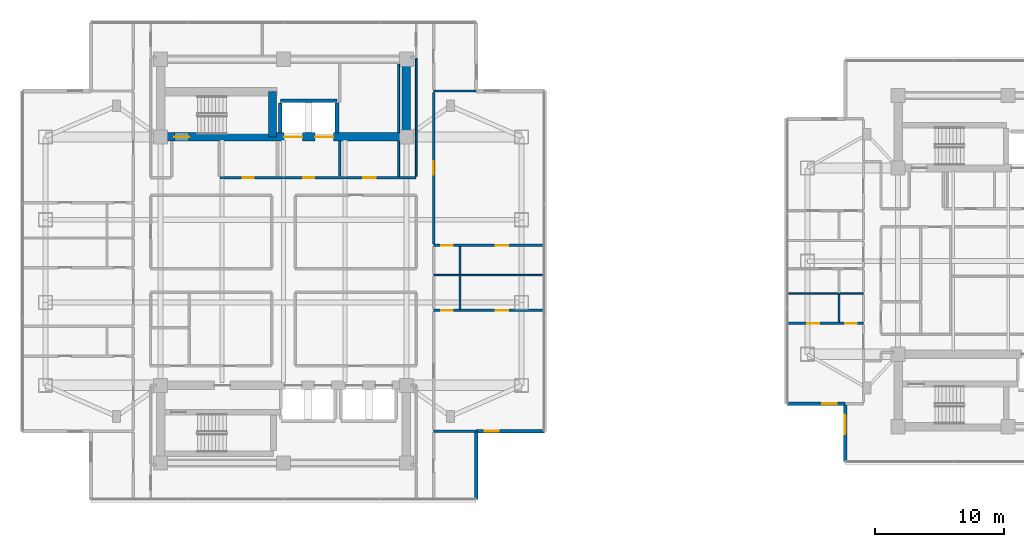
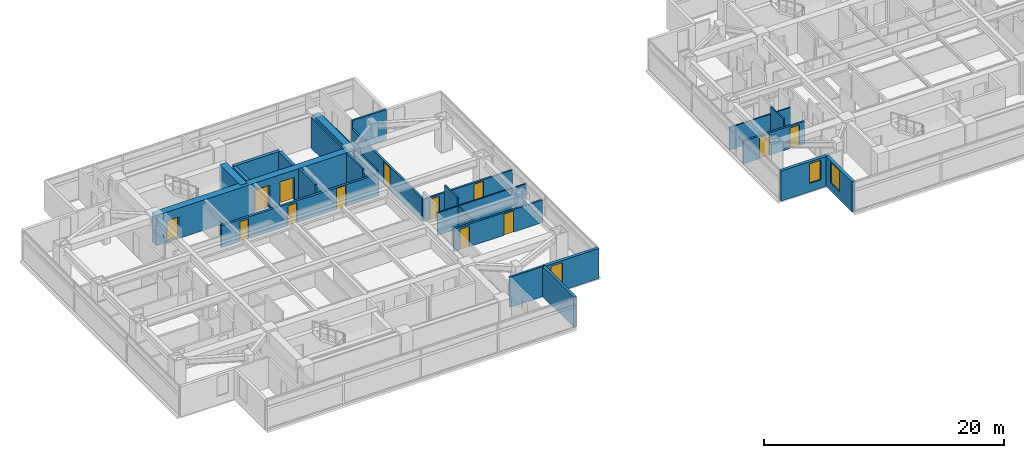
# One storey, part 16 of 26: 26 walls, 13 doors, 3 windows, 16 openings.
"""IFC4 building model written with IfcOpenShell, lengths in metres."""

from ifc_helpers import new_model, si_unit, direction, frame, frame_2d, origin, place, context, subcontext, project, spatial, rectangle, extrude, material, layer, layer_set, type_object, element, fill, save


model = new_model("IFC4")

# Units and contexts
model_context = context("Model", 3, precision=1e-05, world=origin(), true_north=direction((0.0, 1.0)))
body_context = subcontext(model_context, "Body", "Model", "MODEL_VIEW")
ifc_project = project(units=[si_unit("LENGTHUNIT", "METRE"), si_unit("AREAUNIT", "SQUARE_METRE"), si_unit("VOLUMEUNIT", "CUBIC_METRE"), si_unit("PLANEANGLEUNIT", "RADIAN"), si_unit("MASSUNIT", "GRAM", prefix="KILO")], contexts=[model_context])

# Site, building, storey
site_placement = place(None, origin())
site = spatial("IfcSite", under=ifc_project, at=site_placement, CompositionType="ELEMENT")
building_placement = place(site_placement, origin())
building = spatial("IfcBuilding", under=site, at=building_placement, Name="Mirazonda Arch Towers", CompositionType="ELEMENT")
storey_placement = place(building_placement, frame((0.0, 0.0, 121.39990234375)))
storey = spatial("IfcBuildingStorey", under=building, at=storey_placement, Name="L34", CompositionType="ELEMENT", Elevation=121.39990234375)

# Wall
ifc_material_1 = material(Name="Concrete C60/75", Category="concrete")
ifc_layer_1 = layer(ifc_material_1, 0.64990234375, Name="WALL-CORE-650")
ifc_layer_set_1 = layer_set([ifc_layer_1], Name="Concrete C60/75")
wall_type_1 = type_object("IfcWallType", Name="WALL-CORE-650", PredefinedType="SHEAR", material=ifc_layer_set_1)
wall_1_placement = place(storey_placement, frame((30.0, 37.60009765625, 0.0), z_axis=(0.0, 0.0, 1.0), x_axis=(0.0, 1.0, 0.0)))
element("IfcWall", 1, at=wall_1_placement, inside=storey, type_object=wall_type_1, Name="L34 T1N-E Core Shear Wall", PredefinedType="SHEAR", context=body_context, shape_type="SweptSolid", body=[
    extrude(rectangle(XDim=6.0, YDim=0.64990234375, at=frame_2d((3.0, 0.0))), origin(), (0.0, 0.0, 1.0), 3.080078125),
])

# Wall, openings, doors
wall_2_placement = place(storey_placement, frame((11.0, 37.60009765625, 0.0), z_axis=(0.0, 0.0, 1.0), x_axis=(1.0, 0.0, 0.0)))
wall_2 = element("IfcWall", 2, at=wall_2_placement, inside=storey, type_object=wall_type_1, Name="L34 T1N-S Core Shear Wall", PredefinedType="SHEAR", context=body_context, shape_type="SweptSolid", body=[
    extrude(rectangle(XDim=19.0, YDim=0.64990234375, at=frame_2d((9.5, 0.0))), origin(), (0.0, 0.0, 1.0), 3.080078125),
])
opening_1_placement = place(wall_2_placement, frame((1.06005859375, 0.0, 0.0)))
opening_1 = element("IfcOpeningElement", 3, at=opening_1_placement, cuts=wall_2, Name="Opening DR-135", PredefinedType="OPENING", context=body_context, shape_type="SweptSolid", body=[
    extrude(rectangle(XDim=1.14990234375, YDim=2.199951171875, at=frame_2d((0.574951171875, 1.10009765625))), frame((0.0, 0.3349609375, 0.0), z_axis=(0.0, -1.0, 0.0), x_axis=(1.0, 0.0, 0.0)), (0.0, 0.0, 1.0), 0.669921875),
])
opening_2_placement = place(wall_2_placement, frame((9.550048828125, 0.0, 0.0)))
opening_2 = element("IfcOpeningElement", 4, at=opening_2_placement, cuts=wall_2, Name="Opening LD-112", PredefinedType="OPENING", context=body_context, shape_type="SweptSolid", body=[
    extrude(rectangle(XDim=1.39990234375, YDim=2.35009765625, at=frame_2d((0.699951171875, 1.175048828125))), frame((0.0, 0.3349609375, 0.0), z_axis=(0.0, -1.0, 0.0), x_axis=(1.0, 0.0, 0.0)), (0.0, 0.0, 1.0), 0.669921875),
])
opening_3_placement = place(wall_2_placement, frame((11.949951171875, 0.0, 0.0)))
opening_3 = element("IfcOpeningElement", 5, at=opening_3_placement, cuts=wall_2, Name="Opening LD-112", PredefinedType="OPENING", context=body_context, shape_type="SweptSolid", body=[
    extrude(rectangle(XDim=1.39990234375, YDim=2.35009765625, at=frame_2d((0.699951171875, 1.175048828125))), frame((0.0, 0.3349609375, 0.0), z_axis=(0.0, -1.0, 0.0), x_axis=(1.0, 0.0, 0.0)), (0.0, 0.0, 1.0), 0.669921875),
])
ifc_material_2 = material(Name="Architectural Brushed Steel S355", Category="steel")
door_type_1 = type_object("IfcDoorType", Name="DOOR-LIFT-FFL-1400", OperationType="NOTDEFINED", PredefinedType="DOOR", material=ifc_material_2)
door_1_placement = place(opening_2_placement, origin())
door_1 = element("IfcDoor", 6, at=door_1_placement, inside=storey, type_object=door_type_1, Name="L34 Lift Landing Sliding Door FFL-T1", OperationType="DOUBLE_DOOR_SLIDING", OverallHeight=2.35009765625, OverallWidth=1.39990234375, PredefinedType="DOOR", context=body_context, shape_type="SweptSolid", body=[
    extrude(rectangle(XDim=1.39990234375, YDim=2.35009765625, at=frame_2d((0.699951171875, 1.175048828125))), frame((0.0, 0.02490234375, 0.0), z_axis=(0.0, -1.0, 0.0), x_axis=(1.0, 0.0, 0.0)), (0.0, 0.0, 1.0), 0.050048828125),
])
fill(opening_2, door_1)
door_2_placement = place(opening_3_placement, origin())
door_2 = element("IfcDoor", 7, at=door_2_placement, inside=storey, type_object=door_type_1, Name="L34 Lift Landing Sliding Door SVL-T1", OperationType="DOUBLE_DOOR_SLIDING", OverallHeight=2.35009765625, OverallWidth=1.39990234375, PredefinedType="DOOR", context=body_context, shape_type="SweptSolid", body=[
    extrude(rectangle(XDim=1.39990234375, YDim=2.35009765625, at=frame_2d((0.699951171875, 1.175048828125))), frame((0.0, 0.02490234375, 0.0), z_axis=(0.0, -1.0, 0.0), x_axis=(1.0, 0.0, 0.0)), (0.0, 0.0, 1.0), 0.050048828125),
])
fill(opening_3, door_2)
door_type_2 = type_object("IfcDoorType", Name="DOOR-STAIR-FD90-1150", OperationType="NOTDEFINED", PredefinedType="DOOR", material=ifc_material_2)
door_3_placement = place(opening_1_placement, origin())
door_3 = element("IfcDoor", 8, at=door_3_placement, inside=storey, type_object=door_type_2, Name="L34 Protected Exit Stair North Door", OperationType="SINGLE_SWING_RIGHT", OverallHeight=2.199951171875, OverallWidth=1.14990234375, PredefinedType="DOOR", context=body_context, shape_type="SweptSolid", body=[
    extrude(rectangle(XDim=1.14990234375, YDim=2.199951171875, at=frame_2d((0.574951171875, 1.10009765625))), frame((0.0, 0.02490234375, 0.0), z_axis=(0.0, -1.0, 0.0), x_axis=(1.0, 0.0, 0.0)), (0.0, 0.0, 1.0), 0.050048828125),
])
fill(opening_1, door_3)

# Wall
wall_3_placement = place(storey_placement, frame((19.64990234375, 37.60009765625, 0.0), z_axis=(0.0, 0.0, 1.0), x_axis=(0.0, 1.0, 0.0)))
element("IfcWall", 9, at=wall_3_placement, inside=storey, type_object=wall_type_1, Name="L34 T1N-STE Core Shear Wall", PredefinedType="SHEAR", context=body_context, shape_type="SweptSolid", body=[
    extrude(rectangle(XDim=3.492919921875, YDim=0.64990234375, at=frame_2d((1.74658203125, 0.0))), origin(), (0.0, 0.0, 1.0), 3.080078125),
])

# Wall, opening, window
ifc_material_3 = material(Name="Precast Concrete C40/50", Category="concrete")
ifc_layer_2 = layer(ifc_material_3, 0.280029296875, Name="WALL-EXT-WALL-280")
ifc_layer_set_2 = layer_set([ifc_layer_2], Name="Precast Concrete C40/50")
wall_type_2 = type_object("IfcWallType", Name="WALL-EXT-WALL-280", PredefinedType="SOLIDWALL", material=ifc_layer_set_2)
wall_4_placement = place(storey_placement, frame((35.389892578125, 14.85205078125, 0.0), z_axis=(0.0, 0.0, 1.0), x_axis=(1.0, 0.0, 0.0)))
wall_4 = element("IfcWall", 10, at=wall_4_placement, inside=storey, type_object=wall_type_2, Name="L34 T1 Corner Notch Return Wall WL-L34-T1-CSE1", PredefinedType="SOLIDWALL", context=body_context, shape_type="SweptSolid", body=[
    extrude(rectangle(XDim=5.27001953125, YDim=0.280029296875, at=frame_2d((2.635009765625, 0.0))), origin(), (0.0, 0.0, 1.0), 3.06005859375),
])
opening_4_placement = place(wall_4_placement, frame((0.64990234375, 0.0, 0.85009765625)))
opening_4 = element("IfcOpeningElement", 11, at=opening_4_placement, cuts=wall_4, Name="Opening WN-108", PredefinedType="OPENING", context=body_context, shape_type="SweptSolid", body=[
    extrude(rectangle(XDim=1.10009765625, YDim=2.0, at=frame_2d((0.550048828125, 1.0))), frame((0.0, 0.14990234375, 0.0), z_axis=(0.0, -1.0, 0.0), x_axis=(1.0, 0.0, 0.0)), (0.0, 0.0, 1.0), 0.300048828125),
])
ifc_material_4 = material(Name="Insulated Low-E Solar Glass", Category="glass")
window_type_1 = type_object("IfcWindowType", Name="WIN-NOTCH-1100x2000", PartitioningType="SINGLE_PANEL", PredefinedType="WINDOW", material=ifc_material_4)
window_1_placement = place(opening_4_placement, origin())
window_1 = element("IfcWindow", 12, at=window_1_placement, inside=storey, type_object=window_type_1, Name="L34 Punched Facade Window WN-L34-T1-CSE1", OverallHeight=2.0, OverallWidth=1.10009765625, PartitioningType="SINGLE_PANEL", PredefinedType="WINDOW", context=body_context, shape_type="SweptSolid", body=[
    extrude(rectangle(XDim=1.10009765625, YDim=2.0, at=frame_2d((0.550048828125, 1.0))), frame((0.0, 0.030029296875, 0.0), z_axis=(0.0, -1.0, 0.0), x_axis=(1.0, 0.0, 0.0)), (0.0, 0.0, 1.0), 0.06005859375),
])
fill(opening_4, window_1)

# Wall
wall_5_placement = place(storey_placement, frame((35.389892578125, 9.58203125, 0.0), z_axis=(0.0, 0.0, 1.0), x_axis=(0.0, 1.0, 0.0)))
element("IfcWall", 13, at=wall_5_placement, inside=storey, type_object=wall_type_2, Name="L34 T1 Corner Notch Return Wall WL-L34-T1-CSE2", PredefinedType="SOLIDWALL", context=body_context, shape_type="SweptSolid", body=[
    extrude(rectangle(XDim=5.27001953125, YDim=0.280029296875, at=frame_2d((2.635009765625, 0.0))), origin(), (0.0, 0.0, 1.0), 3.06005859375),
])

# Wall, opening, window
wall_6_placement = place(storey_placement, frame((63.903564453125, 16.984130859375, 0.0), z_axis=(0.0, 0.0, 1.0), x_axis=(0.0, -1.0, 0.0)))
wall_6 = element("IfcWall", 14, at=wall_6_placement, inside=storey, type_object=wall_type_2, Name="L34 T2 Notched SW Corner Wall WL-L34-T2-CSW", PredefinedType="SOLIDWALL", context=body_context, shape_type="SweptSolid", body=[
    extrude(rectangle(XDim=4.486328125, YDim=0.280029296875, at=frame_2d((2.2431640625, 0.0))), origin(), (0.0, 0.0, 1.0), 3.06005859375),
])
opening_5_placement = place(wall_6_placement, frame((0.85009765625, 0.0, 0.81005859375)))
opening_5 = element("IfcOpeningElement", 15, at=opening_5_placement, cuts=wall_6, Name="Opening WN-120", PredefinedType="OPENING", context=body_context, shape_type="SweptSolid", body=[
    extrude(rectangle(XDim=1.5, YDim=2.10009765625, at=frame_2d((0.75, 1.050048828125))), frame((0.0, 0.14990234375, 0.0), z_axis=(0.0, -1.0, 0.0), x_axis=(1.0, 0.0, 0.0)), (0.0, 0.0, 1.0), 0.300048828125),
])
window_type_2 = type_object("IfcWindowType", Name="WIN-HTL-1500x2100", PartitioningType="SINGLE_PANEL", PredefinedType="WINDOW", material=ifc_material_4)
window_2_placement = place(opening_5_placement, origin())
window_2 = element("IfcWindow", 16, at=window_2_placement, inside=storey, type_object=window_type_2, Name="L34 Punched Facade Window WN-L34-T2-CSW", OverallHeight=2.10009765625, OverallWidth=1.5, PartitioningType="SINGLE_PANEL", PredefinedType="WINDOW", context=body_context, shape_type="SweptSolid", body=[
    extrude(rectangle(XDim=1.5, YDim=2.10009765625, at=frame_2d((0.75, 1.050048828125))), frame((0.0, 0.030029296875, 0.0), z_axis=(0.0, -1.0, 0.0), x_axis=(1.0, 0.0, 0.0)), (0.0, 0.0, 1.0), 0.06005859375),
])
fill(opening_5, window_2)

wall_7_placement = place(storey_placement, frame((59.4169921875, 16.984130859375, 0.0), z_axis=(0.0, 0.0, 1.0), x_axis=(1.0, 0.0, 0.0)))
wall_7 = element("IfcWall", 17, at=wall_7_placement, inside=storey, type_object=wall_type_2, Name="L34 T2 Corner Notch Return Wall WL-L34-T2-CSW2", PredefinedType="SOLIDWALL", context=body_context, shape_type="SweptSolid", body=[
    extrude(rectangle(XDim=4.486572265625, YDim=0.280029296875, at=frame_2d((2.2431640625, 0.0))), origin(), (0.0, 0.0, 1.0), 3.06005859375),
])
opening_6_placement = place(wall_7_placement, frame((2.736083984375, 0.0, 0.85009765625)))
opening_6 = element("IfcOpeningElement", 18, at=opening_6_placement, cuts=wall_7, Name="Opening WN-108", PredefinedType="OPENING", context=body_context, shape_type="SweptSolid", body=[
    extrude(rectangle(XDim=1.10009765625, YDim=2.0, at=frame_2d((0.550048828125, 1.0))), frame((0.0, 0.14990234375, 0.0), z_axis=(0.0, -1.0, 0.0), x_axis=(1.0, 0.0, 0.0)), (0.0, 0.0, 1.0), 0.300048828125),
])
window_3_placement = place(opening_6_placement, origin())
window_3 = element("IfcWindow", 19, at=window_3_placement, inside=storey, type_object=window_type_1, Name="L34 Punched Facade Window WN-L34-T2-CSW2", OverallHeight=2.0, OverallWidth=1.10009765625, PartitioningType="SINGLE_PANEL", PredefinedType="WINDOW", context=body_context, shape_type="SweptSolid", body=[
    extrude(rectangle(XDim=1.10009765625, YDim=2.0, at=frame_2d((0.550048828125, 1.0))), frame((0.0, 0.030029296875, 0.0), z_axis=(0.0, -1.0, 0.0), x_axis=(1.0, 0.0, 0.0)), (0.0, 0.0, 1.0), 0.06005859375),
])
fill(opening_6, window_3)

# Wall, openings, doors
ifc_material_5 = material(Name="Concrete C40/50", Category="concrete")
ifc_layer_3 = layer(ifc_material_5, 0.219970703125, Name="WALL-FFL-220")
ifc_layer_set_3 = layer_set([ifc_layer_3], Name="Concrete C40/50")
wall_type_3 = type_object("IfcWallType", Name="WALL-FFL-220", PredefinedType="SOLIDWALL", material=ifc_layer_set_3)
wall_8_placement = place(storey_placement, frame((15.590087890625, 34.449951171875, 0.0), z_axis=(0.0, 0.0, 1.0), x_axis=(1.0, 0.0, 0.0)))
wall_8 = element("IfcWall", 20, at=wall_8_placement, inside=storey, type_object=wall_type_3, Name="L34 Interior Partition 051", PredefinedType="SOLIDWALL", context=body_context, shape_type="SweptSolid", body=[
    extrude(rectangle(XDim=15.169921875, YDim=0.219970703125, at=frame_2d((7.5849609375, 0.0))), origin(), (0.0, 0.0, 1.0), 2.216064453125),
])
opening_7_placement = place(wall_8_placement, frame((6.43505859375, 0.0, 0.0)))
opening_7 = element("IfcOpeningElement", 21, at=opening_7_placement, cuts=wall_8, Name="Opening DR-128", PredefinedType="OPENING", context=body_context, shape_type="SweptSolid", body=[
    extrude(rectangle(XDim=0.85009765625, YDim=2.010009765625, at=frame_2d((0.425048828125, 1.0048828125))), frame((0.0, 0.119873046875, 0.0), z_axis=(0.0, -1.0, 0.0), x_axis=(1.0, 0.0, 0.0)), (0.0, 0.0, 1.0), 0.239990234375),
])
opening_8_placement = place(wall_8_placement, frame((11.0849609375, 0.0, 0.0)))
opening_8 = element("IfcOpeningElement", 22, at=opening_8_placement, cuts=wall_8, Name="Opening DR-104", PredefinedType="OPENING", context=body_context, shape_type="SweptSolid", body=[
    extrude(rectangle(XDim=0.949951171875, YDim=2.14990234375, at=frame_2d((0.47509765625, 1.074951171875))), frame((0.0, 0.119873046875, 0.0), z_axis=(0.0, -1.0, 0.0), x_axis=(1.0, 0.0, 0.0)), (0.0, 0.0, 1.0), 0.239990234375),
])
opening_9_placement = place(wall_8_placement, frame((1.77490234375, 0.0, 0.0)))
opening_9 = element("IfcOpeningElement", 23, at=opening_9_placement, cuts=wall_8, Name="Opening DR-128", PredefinedType="OPENING", context=body_context, shape_type="SweptSolid", body=[
    extrude(rectangle(XDim=0.85009765625, YDim=2.010009765625, at=frame_2d((0.425048828125, 1.0048828125))), frame((0.0, 0.119873046875, 0.0), z_axis=(0.0, -1.0, 0.0), x_axis=(1.0, 0.0, 0.0)), (0.0, 0.0, 1.0), 0.239990234375),
])
door_type_3 = type_object("IfcDoorType", Name="DOOR-RISER-FD60-850", OperationType="NOTDEFINED", PredefinedType="DOOR", material=ifc_material_2)
door_4_placement = place(opening_7_placement, origin())
door_4 = element("IfcDoor", 24, at=door_4_placement, inside=storey, type_object=door_type_3, Name="L34 Firefighting Lift Lobby Door", OperationType="SINGLE_SWING_LEFT", OverallHeight=2.010009765625, OverallWidth=0.85009765625, PredefinedType="DOOR", context=body_context, shape_type="SweptSolid", body=[
    extrude(rectangle(XDim=0.85009765625, YDim=2.010009765625, at=frame_2d((0.425048828125, 1.0048828125))), frame((0.0, 0.02490234375, 0.0), z_axis=(0.0, -1.0, 0.0), x_axis=(1.0, 0.0, 0.0)), (0.0, 0.0, 1.0), 0.050048828125),
])
fill(opening_7, door_4)
door_5_placement = place(opening_9_placement, origin())
door_5 = element("IfcDoor", 25, at=door_5_placement, inside=storey, type_object=door_type_3, Name="L34 Housekeeping Linen Room Door", OperationType="SINGLE_SWING_LEFT", OverallHeight=2.010009765625, OverallWidth=0.85009765625, PredefinedType="DOOR", context=body_context, shape_type="SweptSolid", body=[
    extrude(rectangle(XDim=0.85009765625, YDim=2.010009765625, at=frame_2d((0.425048828125, 1.0048828125))), frame((0.0, 0.02490234375, 0.0), z_axis=(0.0, -1.0, 0.0), x_axis=(1.0, 0.0, 0.0)), (0.0, 0.0, 1.0), 0.050048828125),
])
fill(opening_9, door_5)
door_type_4 = type_object("IfcDoorType", Name="DOOR-ROOM-950", OperationType="NOTDEFINED", PredefinedType="DOOR", material=ifc_material_2)
door_6_placement = place(opening_8_placement, origin())
door_6 = element("IfcDoor", 26, at=door_6_placement, inside=storey, type_object=door_type_4, Name="L34 Executive Reading Library Door", OperationType="SINGLE_SWING_RIGHT", OverallHeight=2.14990234375, OverallWidth=0.949951171875, PredefinedType="DOOR", context=body_context, shape_type="SweptSolid", body=[
    extrude(rectangle(XDim=0.949951171875, YDim=2.14990234375, at=frame_2d((0.47509765625, 1.074951171875))), frame((0.0, 0.02490234375, 0.0), z_axis=(0.0, -1.0, 0.0), x_axis=(1.0, 0.0, 0.0)), (0.0, 0.0, 1.0), 0.050048828125),
])
fill(opening_8, door_6)

# Walls
wall_9_placement = place(storey_placement, frame((24.85009765625, 34.570068359375, 0.0), z_axis=(0.0, 0.0, 1.0), x_axis=(0.0, 1.0, 0.0)))
element("IfcWall", 27, at=wall_9_placement, inside=storey, type_object=wall_type_3, Name="L34 Interior Partition 098", PredefinedType="SOLIDWALL", context=body_context, shape_type="SweptSolid", body=[
    extrude(rectangle(XDim=2.7099609375, YDim=0.219970703125, at=frame_2d((1.35498046875, 0.0))), origin(), (0.0, 0.0, 1.0), 3.080078125),
])
ifc_material_6 = material(Name="Fire-Rated Gypsum Stud Partition")
ifc_layer_4 = layer(ifc_material_6, 0.14990234375, Name="WALL-PART-CORR-150")
ifc_layer_set_4 = layer_set([ifc_layer_4], Name="Fire-Rated Gypsum Stud Partition")
wall_type_4 = type_object("IfcWallType", Name="WALL-PART-CORR-150", PredefinedType="PARTITIONING", material=ifc_layer_set_4)
wall_10_placement = place(storey_placement, frame((29.39990234375, 34.570068359375, 0.0), z_axis=(0.0, 0.0, 1.0), x_axis=(0.0, 1.0, 0.0)))
element("IfcWall", 28, at=wall_10_placement, inside=storey, type_object=wall_type_4, Name="L34 Interior Partition 101", PredefinedType="PARTITIONING", context=body_context, shape_type="SweptSolid", body=[
    extrude(rectangle(XDim=2.7099609375, YDim=0.14990234375, at=frame_2d((1.35498046875, 0.0))), origin(), (0.0, 0.0, 1.0), 3.080078125),
])
wall_11_placement = place(storey_placement, frame((29.39990234375, 37.919921875, 0.0), z_axis=(0.0, 0.0, 1.0), x_axis=(0.0, 1.0, 0.0)))
element("IfcWall", 29, at=wall_11_placement, inside=storey, type_object=wall_type_4, Name="L34 Interior Partition 102", PredefinedType="PARTITIONING", context=body_context, shape_type="SweptSolid", body=[
    extrude(rectangle(XDim=5.280029296875, YDim=0.14990234375, at=frame_2d((2.64013671875, 0.0))), origin(), (0.0, 0.0, 1.0), 3.080078125),
])
wall_12_placement = place(storey_placement, frame((30.760009765625, 34.570068359375, 0.0), z_axis=(0.0, 0.0, 1.0), x_axis=(0.0, 1.0, 0.0)))
element("IfcWall", 30, at=wall_12_placement, inside=storey, type_object=wall_type_4, Name="L34 Interior Partition 107", PredefinedType="PARTITIONING", context=body_context, shape_type="SweptSolid", body=[
    extrude(rectangle(XDim=9.094970703125, YDim=0.14990234375, at=frame_2d((4.54736328125, 0.0))), origin(), (0.0, 0.0, 1.0), 2.4560546875),
])
ifc_material_7 = material(Name="Fire-Rated Gypsum Twin-Stud Assembly")
ifc_layer_5 = layer(ifc_material_7, 0.179931640625, Name="WALL-PART-DEMISE-180")
ifc_layer_set_5 = layer_set([ifc_layer_5], Name="Fire-Rated Gypsum Twin-Stud Assembly")
wall_type_5 = type_object("IfcWallType", Name="WALL-PART-DEMISE-180", PredefinedType="PARTITIONING", material=ifc_layer_set_5)
wall_13_placement = place(storey_placement, frame((32.10009765625, 14.85205078125, 0.0), z_axis=(0.0, 0.0, 1.0), x_axis=(1.0, 0.0, 0.0)))
element("IfcWall", 31, at=wall_13_placement, inside=storey, type_object=wall_type_5, Name="L34 Interior Partition 005", PredefinedType="PARTITIONING", context=body_context, shape_type="SweptSolid", body=[
    extrude(rectangle(XDim=3.27001953125, YDim=0.179931640625, at=frame_2d((1.635009765625, 0.0))), origin(), (0.0, 0.0, 1.0), 3.080078125),
])

# Wall, openings, doors
wall_14_placement = place(storey_placement, frame((59.4169921875, 23.19189453125, 0.0), z_axis=(0.0, 0.0, 1.0), x_axis=(1.0, 0.0, 0.0)))
wall_14 = element("IfcWall", 32, at=wall_14_placement, inside=storey, type_object=wall_type_5, Name="L34 Interior Partition 025", PredefinedType="PARTITIONING", context=body_context, shape_type="SweptSolid", body=[
    extrude(rectangle(XDim=5.903076171875, YDim=0.179931640625, at=frame_2d((2.95166015625, 0.0))), origin(), (0.0, 0.0, 1.0), 2.299072265625),
])
opening_10_placement = place(wall_14_placement, frame((1.552001953125, 0.0, 0.0)))
opening_10 = element("IfcOpeningElement", 33, at=opening_10_placement, cuts=wall_14, Name="Opening DR-104", PredefinedType="OPENING", context=body_context, shape_type="SweptSolid", body=[
    extrude(rectangle(XDim=0.949951171875, YDim=2.14990234375, at=frame_2d((0.47509765625, 1.074951171875))), frame((0.0, 0.099853515625, 0.0), z_axis=(0.0, -1.0, 0.0), x_axis=(1.0, 0.0, 0.0)), (0.0, 0.0, 1.0), 0.199951171875),
])
opening_11_placement = place(wall_14_placement, frame((4.488525390625, 0.0, 0.0)))
opening_11 = element("IfcOpeningElement", 34, at=opening_11_placement, cuts=wall_14, Name="Opening DR-120", PredefinedType="OPENING", context=body_context, shape_type="SweptSolid", body=[
    extrude(rectangle(XDim=0.89990234375, YDim=2.10009765625, at=frame_2d((0.449951171875, 1.050048828125))), frame((0.0, 0.099853515625, 0.0), z_axis=(0.0, -1.0, 0.0), x_axis=(1.0, 0.0, 0.0)), (0.0, 0.0, 1.0), 0.199951171875),
])
door_7_placement = place(opening_10_placement, origin())
door_7 = element("IfcDoor", 35, at=door_7_placement, inside=storey, type_object=door_type_4, Name="L34 Studio 1 Galley Kitchen Door", OperationType="SINGLE_SWING_RIGHT", OverallHeight=2.14990234375, OverallWidth=0.949951171875, PredefinedType="DOOR", context=body_context, shape_type="SweptSolid", body=[
    extrude(rectangle(XDim=0.949951171875, YDim=2.14990234375, at=frame_2d((0.47509765625, 1.074951171875))), frame((0.0, 0.02490234375, 0.0), z_axis=(0.0, -1.0, 0.0), x_axis=(1.0, 0.0, 0.0)), (0.0, 0.0, 1.0), 0.050048828125),
])
fill(opening_10, door_7)
door_type_5 = type_object("IfcDoorType", Name="DOOR-WC-900", OperationType="NOTDEFINED", PredefinedType="DOOR", material=ifc_material_2)
door_8_placement = place(opening_11_placement, origin())
door_8 = element("IfcDoor", 36, at=door_8_placement, inside=storey, type_object=door_type_5, Name="L34 Studio 1 Bathroom Door", OperationType="SINGLE_SWING_LEFT", OverallHeight=2.10009765625, OverallWidth=0.89990234375, PredefinedType="DOOR", context=body_context, shape_type="SweptSolid", body=[
    extrude(rectangle(XDim=0.89990234375, YDim=2.10009765625, at=frame_2d((0.449951171875, 1.050048828125))), frame((0.0, 0.02490234375, 0.0), z_axis=(0.0, -1.0, 0.0), x_axis=(1.0, 0.0, 0.0)), (0.0, 0.0, 1.0), 0.050048828125),
])
fill(opening_11, door_8)

wall_15_placement = place(storey_placement, frame((32.10009765625, 24.199951171875, 0.0), z_axis=(0.0, 0.0, 1.0), x_axis=(1.0, 0.0, 0.0)))
wall_15 = element("IfcWall", 37, at=wall_15_placement, inside=storey, type_object=wall_type_5, Name="L34 Interior Partition 026", PredefinedType="PARTITIONING", context=body_context, shape_type="SweptSolid", body=[
    extrude(rectangle(XDim=8.559814453125, YDim=0.179931640625, at=frame_2d((4.27978515625, 0.0))), origin(), (0.0, 0.0, 1.0), 2.299072265625),
])
opening_12_placement = place(wall_15_placement, frame((4.804931640625, 0.0, 0.0)))
opening_12 = element("IfcOpeningElement", 38, at=opening_12_placement, cuts=wall_15, Name="Opening DR-104", PredefinedType="OPENING", context=body_context, shape_type="SweptSolid", body=[
    extrude(rectangle(XDim=0.949951171875, YDim=2.14990234375, at=frame_2d((0.47509765625, 1.074951171875))), frame((0.0, 0.099853515625, 0.0), z_axis=(0.0, -1.0, 0.0), x_axis=(1.0, 0.0, 0.0)), (0.0, 0.0, 1.0), 0.199951171875),
])
opening_13_placement = place(wall_15_placement, frame((0.590087890625, 0.0, 0.0)))
opening_13 = element("IfcOpeningElement", 39, at=opening_13_placement, cuts=wall_15, Name="Opening DR-120", PredefinedType="OPENING", context=body_context, shape_type="SweptSolid", body=[
    extrude(rectangle(XDim=0.89990234375, YDim=2.10009765625, at=frame_2d((0.449951171875, 1.050048828125))), frame((0.0, 0.099853515625, 0.0), z_axis=(0.0, -1.0, 0.0), x_axis=(1.0, 0.0, 0.0)), (0.0, 0.0, 1.0), 0.199951171875),
])
door_9_placement = place(opening_12_placement, origin())
door_9 = element("IfcDoor", 40, at=door_9_placement, inside=storey, type_object=door_type_4, Name="L34 Suite Bedroom 1 Door", OperationType="SINGLE_SWING_LEFT", OverallHeight=2.14990234375, OverallWidth=0.949951171875, PredefinedType="DOOR", context=body_context, shape_type="SweptSolid", body=[
    extrude(rectangle(XDim=0.949951171875, YDim=2.14990234375, at=frame_2d((0.47509765625, 1.074951171875))), frame((0.0, 0.02490234375, 0.0), z_axis=(0.0, -1.0, 0.0), x_axis=(1.0, 0.0, 0.0)), (0.0, 0.0, 1.0), 0.050048828125),
])
fill(opening_12, door_9)
door_10_placement = place(opening_13_placement, origin())
door_10 = element("IfcDoor", 41, at=door_10_placement, inside=storey, type_object=door_type_5, Name="L34 Suite En-Suite Bathroom 1 Door", OperationType="SINGLE_SWING_RIGHT", OverallHeight=2.10009765625, OverallWidth=0.89990234375, PredefinedType="DOOR", context=body_context, shape_type="SweptSolid", body=[
    extrude(rectangle(XDim=0.89990234375, YDim=2.10009765625, at=frame_2d((0.449951171875, 1.050048828125))), frame((0.0, 0.02490234375, 0.0), z_axis=(0.0, -1.0, 0.0), x_axis=(1.0, 0.0, 0.0)), (0.0, 0.0, 1.0), 0.050048828125),
])
fill(opening_13, door_10)

wall_16_placement = place(storey_placement, frame((32.10009765625, 29.219970703125, 0.0), z_axis=(0.0, 0.0, 1.0), x_axis=(1.0, 0.0, 0.0)))
wall_16 = element("IfcWall", 42, at=wall_16_placement, inside=storey, type_object=wall_type_5, Name="L34 Interior Partition 039", PredefinedType="PARTITIONING", context=body_context, shape_type="SweptSolid", body=[
    extrude(rectangle(XDim=8.559814453125, YDim=0.179931640625, at=frame_2d((4.27978515625, 0.0))), origin(), (0.0, 0.0, 1.0), 2.299072265625),
])
opening_14_placement = place(wall_16_placement, frame((4.804931640625, 0.0, 0.0)))
opening_14 = element("IfcOpeningElement", 43, at=opening_14_placement, cuts=wall_16, Name="Opening DR-104", PredefinedType="OPENING", context=body_context, shape_type="SweptSolid", body=[
    extrude(rectangle(XDim=0.949951171875, YDim=2.14990234375, at=frame_2d((0.47509765625, 1.074951171875))), frame((0.0, 0.099853515625, 0.0), z_axis=(0.0, -1.0, 0.0), x_axis=(1.0, 0.0, 0.0)), (0.0, 0.0, 1.0), 0.199951171875),
])
opening_15_placement = place(wall_16_placement, frame((0.590087890625, 0.0, 0.0)))
opening_15 = element("IfcOpeningElement", 44, at=opening_15_placement, cuts=wall_16, Name="Opening DR-120", PredefinedType="OPENING", context=body_context, shape_type="SweptSolid", body=[
    extrude(rectangle(XDim=0.89990234375, YDim=2.10009765625, at=frame_2d((0.449951171875, 1.050048828125))), frame((0.0, 0.099853515625, 0.0), z_axis=(0.0, -1.0, 0.0), x_axis=(1.0, 0.0, 0.0)), (0.0, 0.0, 1.0), 0.199951171875),
])
door_11_placement = place(opening_14_placement, origin())
door_11 = element("IfcDoor", 45, at=door_11_placement, inside=storey, type_object=door_type_4, Name="L34 Suite Bedroom 2 Door", OperationType="SINGLE_SWING_RIGHT", OverallHeight=2.14990234375, OverallWidth=0.949951171875, PredefinedType="DOOR", context=body_context, shape_type="SweptSolid", body=[
    extrude(rectangle(XDim=0.949951171875, YDim=2.14990234375, at=frame_2d((0.47509765625, 1.074951171875))), frame((0.0, 0.02490234375, 0.0), z_axis=(0.0, -1.0, 0.0), x_axis=(1.0, 0.0, 0.0)), (0.0, 0.0, 1.0), 0.050048828125),
])
fill(opening_14, door_11)
door_12_placement = place(opening_15_placement, origin())
door_12 = element("IfcDoor", 46, at=door_12_placement, inside=storey, type_object=door_type_5, Name="L34 Suite En-Suite Bathroom 2 Door", OperationType="SINGLE_SWING_LEFT", OverallHeight=2.10009765625, OverallWidth=0.89990234375, PredefinedType="DOOR", context=body_context, shape_type="SweptSolid", body=[
    extrude(rectangle(XDim=0.89990234375, YDim=2.10009765625, at=frame_2d((0.449951171875, 1.050048828125))), frame((0.0, 0.02490234375, 0.0), z_axis=(0.0, -1.0, 0.0), x_axis=(1.0, 0.0, 0.0)), (0.0, 0.0, 1.0), 0.050048828125),
])
fill(opening_15, door_12)

# Wall
wall_17_placement = place(storey_placement, frame((32.10009765625, 41.14794921875, 0.0), z_axis=(0.0, 0.0, 1.0), x_axis=(1.0, 0.0, 0.0)))
element("IfcWall", 47, at=wall_17_placement, inside=storey, type_object=wall_type_5, Name="L34 Interior Partition 060", PredefinedType="PARTITIONING", context=body_context, shape_type="SweptSolid", body=[
    extrude(rectangle(XDim=3.27001953125, YDim=0.179931640625, at=frame_2d((1.635009765625, 0.0))), origin(), (0.0, 0.0, 1.0), 3.080078125),
])

# Wall, opening, door
wall_18_placement = place(storey_placement, frame((32.10009765625, 29.320068359375, 0.0), z_axis=(0.0, 0.0, 1.0), x_axis=(0.0, 1.0, 0.0)))
wall_18 = element("IfcWall", 48, at=wall_18_placement, inside=storey, type_object=wall_type_5, Name="L34 Interior Partition 113", PredefinedType="PARTITIONING", context=body_context, shape_type="SweptSolid", body=[
    extrude(rectangle(XDim=11.72802734375, YDim=0.179931640625, at=frame_2d((5.864013671875, 0.0))), origin(), (0.0, 0.0, 1.0), 2.299072265625),
])
opening_16_placement = place(wall_18_placement, frame((5.339111328125, 0.0, 0.0)))
opening_16 = element("IfcOpeningElement", 49, at=opening_16_placement, cuts=wall_18, Name="Opening DR-121", PredefinedType="OPENING", context=body_context, shape_type="SweptSolid", body=[
    extrude(rectangle(XDim=1.050048828125, YDim=2.199951171875, at=frame_2d((0.52490234375, 1.10009765625))), frame((0.0, 0.099853515625, 0.0), z_axis=(0.0, -1.0, 0.0), x_axis=(1.0, 0.0, 0.0)), (0.0, 0.0, 1.0), 0.199951171875),
])
door_type_6 = type_object("IfcDoorType", Name="DOOR-SUITE-FD60-1050", OperationType="NOTDEFINED", PredefinedType="DOOR", material=ifc_material_2)
door_13_placement = place(opening_16_placement, origin())
door_13 = element("IfcDoor", 50, at=door_13_placement, inside=storey, type_object=door_type_6, Name="L34 Presidential Hotel Suite 2 Door", OperationType="SINGLE_SWING_LEFT", OverallHeight=2.199951171875, OverallWidth=1.050048828125, PredefinedType="DOOR", context=body_context, shape_type="SweptSolid", body=[
    extrude(rectangle(XDim=1.050048828125, YDim=2.199951171875, at=frame_2d((0.52490234375, 1.10009765625))), frame((0.0, 0.02490234375, 0.0), z_axis=(0.0, -1.0, 0.0), x_axis=(1.0, 0.0, 0.0)), (0.0, 0.0, 1.0), 0.050048828125),
])
fill(opening_16, door_13)

# Walls
ifc_material_8 = material(Name="Acoustic Fire-Rated Gypsum Partition")
ifc_layer_6 = layer(ifc_material_8, 0.125, Name="WALL-PART-UNIT-125")
ifc_layer_set_6 = layer_set([ifc_layer_6], Name="Acoustic Fire-Rated Gypsum Partition")
wall_type_6 = type_object("IfcWallType", Name="WALL-PART-UNIT-125", PredefinedType="PARTITIONING", material=ifc_layer_set_6)
wall_19_placement = place(storey_placement, frame((59.4169921875, 25.491943359375, 0.0), z_axis=(0.0, 0.0, 1.0), x_axis=(1.0, 0.0, 0.0)))
element("IfcWall", 51, at=wall_19_placement, inside=storey, type_object=wall_type_6, Name="L34 Interior Partition 031", PredefinedType="PARTITIONING", context=body_context, shape_type="SweptSolid", body=[
    extrude(rectangle(XDim=5.903076171875, YDim=0.125, at=frame_2d((2.95166015625, 0.0))), origin(), (0.0, 0.0, 1.0), 2.299072265625),
])
wall_20_placement = place(storey_placement, frame((32.10009765625, 26.919921875, 0.0), z_axis=(0.0, 0.0, 1.0), x_axis=(1.0, 0.0, 0.0)))
element("IfcWall", 52, at=wall_20_placement, inside=storey, type_object=wall_type_6, Name="L34 Interior Partition 033", PredefinedType="PARTITIONING", context=body_context, shape_type="SweptSolid", body=[
    extrude(rectangle(XDim=8.559814453125, YDim=0.125, at=frame_2d((4.27978515625, 0.0))), origin(), (0.0, 0.0, 1.0), 2.299072265625),
])
wall_21_placement = place(storey_placement, frame((34.139892578125, 24.300048828125, 0.0), z_axis=(0.0, 0.0, 1.0), x_axis=(0.0, 1.0, 0.0)))
element("IfcWall", 53, at=wall_21_placement, inside=storey, type_object=wall_type_6, Name="L34 Interior Partition 115", PredefinedType="PARTITIONING", context=body_context, shape_type="SweptSolid", body=[
    extrude(rectangle(XDim=2.54736328125, YDim=0.125, at=frame_2d((1.273681640625, 0.0))), origin(), (0.0, 0.0, 1.0), 2.299072265625),
])
wall_22_placement = place(storey_placement, frame((34.139892578125, 26.992431640625, 0.0), z_axis=(0.0, 0.0, 1.0), x_axis=(0.0, 1.0, 0.0)))
element("IfcWall", 54, at=wall_22_placement, inside=storey, type_object=wall_type_6, Name="L34 Interior Partition 116", PredefinedType="PARTITIONING", context=body_context, shape_type="SweptSolid", body=[
    extrude(rectangle(XDim=2.127685546875, YDim=0.125, at=frame_2d((1.06396484375, 0.0))), origin(), (0.0, 0.0, 1.0), 3.080078125),
])
wall_23_placement = place(storey_placement, frame((63.430908203125, 23.2919921875, 0.0), z_axis=(0.0, 0.0, 1.0), x_axis=(0.0, 1.0, 0.0)))
element("IfcWall", 55, at=wall_23_placement, inside=storey, type_object=wall_type_6, Name="L34 Interior Partition 117", PredefinedType="PARTITIONING", context=body_context, shape_type="SweptSolid", body=[
    extrude(rectangle(XDim=2.12744140625, YDim=0.125, at=frame_2d((1.063720703125, 0.0))), origin(), (0.0, 0.0, 1.0), 3.080078125),
])
ifc_material_9 = material(Name="Concrete C50/60", Category="concrete")
ifc_layer_7 = layer(ifc_material_9, 0.300048828125, Name="WALL-SHAFT-300")
ifc_layer_set_7 = layer_set([ifc_layer_7], Name="Concrete C50/60")
wall_type_7 = type_object("IfcWallType", Name="WALL-SHAFT-300", PredefinedType="SOLIDWALL", material=ifc_layer_set_7)
wall_24_placement = place(storey_placement, frame((20.25, 40.39990234375, 0.0), z_axis=(0.0, 0.0, 1.0), x_axis=(1.0, 0.0, 0.0)))
element("IfcWall", 56, at=wall_24_placement, inside=storey, type_object=wall_type_7, Name="L34 Interior Partition 058", PredefinedType="SOLIDWALL", context=body_context, shape_type="SweptSolid", body=[
    extrude(rectangle(XDim=4.39990234375, YDim=0.300048828125, at=frame_2d((2.199951171875, 0.0))), origin(), (0.0, 0.0, 1.0), 3.080078125),
])
for number, where, z_axis, x_axis, name in (
    (57, (20.25, 37.919921875, 0.0), (0.0, 0.0, 1.0), (0.0, 1.0, 0.0), "L34 Interior Partition 092"),
    (58, (24.64990234375, 37.919921875, 0.0), (0.0, 0.0, 1.0), (0.0, 1.0, 0.0), "L34 Interior Partition 096"),
):
    element("IfcWall", number, at=place(storey_placement, frame(where, z_axis=z_axis, x_axis=x_axis)), inside=storey, type_object=wall_type_7, Name=name, PredefinedType="SOLIDWALL", context=body_context, shape_type="SweptSolid", body=[
        extrude(rectangle(XDim=2.320068359375, YDim=0.300048828125, at=frame_2d((1.16015625, 0.0))), origin(), (0.0, 0.0, 1.0), 3.080078125),
    ])

save(model, "model.ifc")
